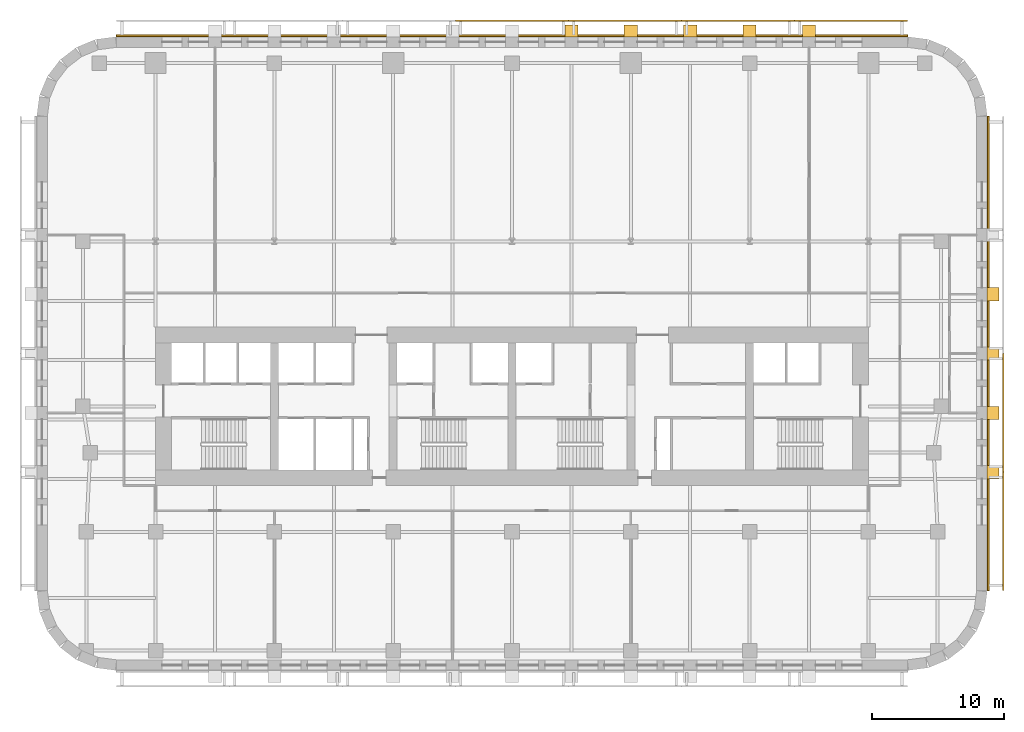
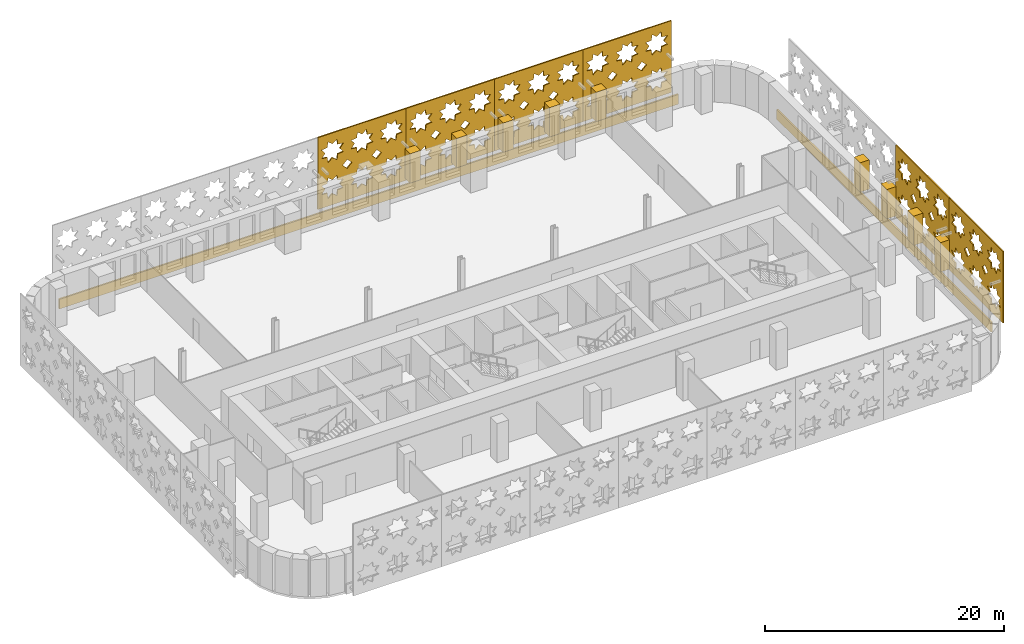
# One storey, part 12 of 13: 17 coverings.
"""IFC4 building model written with IfcOpenShell, lengths in metres."""

from ifc_helpers import new_model, si_unit, direction, frame, origin, place, context, subcontext, project, spatial, polyline, outline, extrude, material, layer, layer_set, type_object, element, save


model = new_model("IFC4")

# Units and contexts
model_context = context("Model", 3, precision=1e-05, world=origin(), true_north=direction((0.0, 1.0)))
body_context = subcontext(model_context, "Body", "Model", "MODEL_VIEW")
ifc_project = project(units=[si_unit("LENGTHUNIT", "METRE"), si_unit("AREAUNIT", "SQUARE_METRE"), si_unit("VOLUMEUNIT", "CUBIC_METRE"), si_unit("PLANEANGLEUNIT", "RADIAN"), si_unit("MASSUNIT", "GRAM", prefix="KILO")], contexts=[model_context])

# Site, building, storey
site_placement = place(None, origin())
site = spatial("IfcSite", under=ifc_project, at=site_placement, CompositionType="ELEMENT")
building_placement = place(site_placement, origin())
building = spatial("IfcBuilding", under=site, at=building_placement, Name="Zellij Exchange Tower", CompositionType="ELEMENT")
storey_placement = place(building_placement, frame((0.0, 0.0, 60.5)))
storey = spatial("IfcBuildingStorey", under=building, at=storey_placement, Name="L11", CompositionType="ELEMENT", Elevation=60.5)

# Coverings
ifc_material_1 = material(Name="Limestone cladding", Category="masonry")
ifc_layer_1 = layer(ifc_material_1, 0.14990234375)
ifc_layer_set_1 = layer_set([ifc_layer_1], Name="Limestone cladding")
covering_type_1 = type_object("IfcCoveringType", Name="ENV-CV1 Stone spandrel band 150", PredefinedType="CLADDING", material=ifc_layer_set_1)
covering_1_placement = place(storey_placement, frame((0.0, 0.0, -0.199951171875)))
element("IfcCovering", 1, at=covering_1_placement, inside=storey, type_object=covering_type_1, Name="Stone spandrel band", PredefinedType="CLADDING", context=body_context, shape_type="SweptSolid", body=[
    extrude(outline(polyline([(36.0, -21.973876953125), (36.0, 13.973876953125), (36.14990234375, 13.983642578125), (36.14990234375, -21.983642578125), (36.0, -21.973876953125)])), origin(), (0.0, 0.0, 1.0), 1.0),
])
covering_2_placement = place(storey_placement, frame((0.0, 0.0, -0.199951171875)))
element("IfcCovering", 2, at=covering_2_placement, inside=storey, type_object=covering_type_1, Name="Stone spandrel band", PredefinedType="CLADDING", context=body_context, shape_type="SweptSolid", body=[
    extrude(outline(polyline([(29.973876953125, 20.0), (-29.973876953125, 20.0), (-29.983642578125, 20.14990234375), (29.983642578125, 20.14990234375), (29.973876953125, 20.0)])), origin(), (0.0, 0.0, 1.0), 1.0),
])
covering_type_2 = type_object("IfcCoveringType", Name="ENV-CV2 Stone pier 1000x900", PredefinedType="CLADDING", material=ifc_material_1)
covering_3_placement = place(storey_placement, frame((0.0, 0.0, 0.800048828125)))
element("IfcCovering", 3, at=covering_3_placement, inside=storey, type_object=covering_type_2, Name="Stone pier", PredefinedType="CLADDING", context=body_context, shape_type="SweptSolid", body=[
    extrude(outline(polyline([(36.0, -13.48681640625), (36.0, -12.48681640625), (36.89990234375, -12.48681640625), (36.89990234375, -13.48681640625), (36.0, -13.48681640625)])), origin(), (0.0, 0.0, 1.0), 3.0),
])
covering_4_placement = place(storey_placement, frame((0.0, 0.0, 0.800048828125)))
element("IfcCovering", 4, at=covering_4_placement, inside=storey, type_object=covering_type_2, Name="Stone pier", PredefinedType="CLADDING", context=body_context, shape_type="SweptSolid", body=[
    extrude(outline(polyline([(36.0, -8.993408203125), (36.0, -7.993408203125), (36.89990234375, -7.993408203125), (36.89990234375, -8.993408203125), (36.0, -8.993408203125)])), origin(), (0.0, 0.0, 1.0), 3.0),
])
covering_5_placement = place(storey_placement, frame((0.0, 0.0, 0.800048828125)))
element("IfcCovering", 5, at=covering_5_placement, inside=storey, type_object=covering_type_2, Name="Stone pier", PredefinedType="CLADDING", context=body_context, shape_type="SweptSolid", body=[
    extrude(outline(polyline([(36.0, -4.5), (36.0, -3.5), (36.89990234375, -3.5), (36.89990234375, -4.5), (36.0, -4.5)])), origin(), (0.0, 0.0, 1.0), 3.0),
])
covering_6_placement = place(storey_placement, frame((0.0, 0.0, 0.800048828125)))
element("IfcCovering", 6, at=covering_6_placement, inside=storey, type_object=covering_type_2, Name="Stone pier", PredefinedType="CLADDING", context=body_context, shape_type="SweptSolid", body=[
    extrude(outline(polyline([(36.0, -0.006591796875), (36.0, 0.993408203125), (36.89990234375, 0.993408203125), (36.89990234375, -0.006591796875), (36.0, -0.006591796875)])), origin(), (0.0, 0.0, 1.0), 3.0),
])
covering_7_placement = place(storey_placement, frame((0.0, 0.0, 0.800048828125)))
element("IfcCovering", 7, at=covering_7_placement, inside=storey, type_object=covering_type_2, Name="Stone pier", PredefinedType="CLADDING", context=body_context, shape_type="SweptSolid", body=[
    extrude(outline(polyline([(23.0, 20.0), (22.0, 20.0), (22.0, 20.89990234375), (23.0, 20.89990234375), (23.0, 20.0)])), origin(), (0.0, 0.0, 1.0), 3.0),
])
covering_8_placement = place(storey_placement, frame((0.0, 0.0, 0.800048828125)))
element("IfcCovering", 8, at=covering_8_placement, inside=storey, type_object=covering_type_2, Name="Stone pier", PredefinedType="CLADDING", context=body_context, shape_type="SweptSolid", body=[
    extrude(outline(polyline([(18.5, 20.0), (17.5, 20.0), (17.5, 20.89990234375), (18.5, 20.89990234375), (18.5, 20.0)])), origin(), (0.0, 0.0, 1.0), 3.0),
])
covering_9_placement = place(storey_placement, frame((0.0, 0.0, 0.800048828125)))
element("IfcCovering", 9, at=covering_9_placement, inside=storey, type_object=covering_type_2, Name="Stone pier", PredefinedType="CLADDING", context=body_context, shape_type="SweptSolid", body=[
    extrude(outline(polyline([(14.0, 20.0), (13.0, 20.0), (13.0, 20.89990234375), (14.0, 20.89990234375), (14.0, 20.0)])), origin(), (0.0, 0.0, 1.0), 3.0),
])
covering_10_placement = place(storey_placement, frame((0.0, 0.0, 0.800048828125)))
element("IfcCovering", 10, at=covering_10_placement, inside=storey, type_object=covering_type_2, Name="Stone pier", PredefinedType="CLADDING", context=body_context, shape_type="SweptSolid", body=[
    extrude(outline(polyline([(9.5, 20.0), (8.5, 20.0), (8.5, 20.89990234375), (9.5, 20.89990234375), (9.5, 20.0)])), origin(), (0.0, 0.0, 1.0), 3.0),
])
covering_11_placement = place(storey_placement, frame((0.0, 0.0, 0.800048828125)))
element("IfcCovering", 11, at=covering_11_placement, inside=storey, type_object=covering_type_2, Name="Stone pier", PredefinedType="CLADDING", context=body_context, shape_type="SweptSolid", body=[
    extrude(outline(polyline([(5.0, 20.0), (4.0, 20.0), (4.0, 20.89990234375), (5.0, 20.89990234375), (5.0, 20.0)])), origin(), (0.0, 0.0, 1.0), 3.0),
])
ifc_material_2 = material(Name="Limestone screen", Category="masonry")
ifc_layer_2 = layer(ifc_material_2, 0.1201171875)
ifc_layer_set_2 = layer_set([ifc_layer_2], Name="Limestone screen")
covering_type_3 = type_object("IfcCoveringType", Name="ENV-SC1 Pierced stone screen 120", PredefinedType="USERDEFINED", material=ifc_layer_set_2)
covering_12_placement = place(storey_placement, frame((29.947509765625, 21.2099609375, 0.300048828125), z_axis=(0.0, 0.0, 1.0), x_axis=(-1.0, 0.0, 0.0)))
element("IfcCovering", 12, at=covering_12_placement, inside=storey, type_object=covering_type_3, Name="Pierced stone screen", ObjectType="SCREEN", PredefinedType="USERDEFINED", context=body_context, shape_type="SweptSolid", body=[
    extrude(outline(polyline([(0.0, 0.0), (8.556396484375, 0.0), (8.556396484375, 7.35009765625), (0.0, 7.35009765625), (0.0, 0.0)]), holes=[polyline([(2.47998046875, 2.274169921875), (1.92626953125, 2.337646484375), (1.86279296875, 2.8916015625), (1.426025390625, 2.544921875), (0.989501953125, 2.8916015625), (0.92578125, 2.337646484375), (0.3720703125, 2.274169921875), (0.71875, 1.83740234375), (0.3720703125, 1.40087890625), (0.92578125, 1.33740234375), (0.989501953125, 0.783447265625), (1.426025390625, 1.130126953125), (1.86279296875, 0.783447265625), (1.92626953125, 1.33740234375), (2.47998046875, 1.40087890625), (2.13330078125, 1.83740234375), (2.47998046875, 2.274169921875)]), polyline([(2.47998046875, 5.94921875), (1.92626953125, 6.0126953125), (1.86279296875, 6.56640625), (1.426025390625, 6.2197265625), (0.989501953125, 6.56640625), (0.92578125, 6.0126953125), (0.3720703125, 5.94921875), (0.71875, 5.512451171875), (0.3720703125, 5.075927734375), (0.92578125, 5.01220703125), (0.989501953125, 4.45849609375), (1.426025390625, 4.80517578125), (1.86279296875, 4.45849609375), (1.92626953125, 5.01220703125), (2.47998046875, 5.075927734375), (2.13330078125, 5.512451171875), (2.47998046875, 5.94921875)]), polyline([(5.332275390625, 2.274169921875), (4.7783203125, 2.337646484375), (4.71484375, 2.8916015625), (4.2783203125, 2.544921875), (3.841552734375, 2.8916015625), (3.778076171875, 2.337646484375), (3.22412109375, 2.274169921875), (3.57080078125, 1.83740234375), (3.22412109375, 1.40087890625), (3.778076171875, 1.33740234375), (3.841552734375, 0.783447265625), (4.2783203125, 1.130126953125), (4.71484375, 0.783447265625), (4.7783203125, 1.33740234375), (5.332275390625, 1.40087890625), (4.985595703125, 1.83740234375), (5.332275390625, 2.274169921875)]), polyline([(5.332275390625, 5.94921875), (4.7783203125, 6.0126953125), (4.71484375, 6.56640625), (4.2783203125, 6.2197265625), (3.841552734375, 6.56640625), (3.778076171875, 6.0126953125), (3.22412109375, 5.94921875), (3.57080078125, 5.512451171875), (3.22412109375, 5.075927734375), (3.778076171875, 5.01220703125), (3.841552734375, 4.45849609375), (4.2783203125, 4.80517578125), (4.71484375, 4.45849609375), (4.7783203125, 5.01220703125), (5.332275390625, 5.075927734375), (4.985595703125, 5.512451171875), (5.332275390625, 5.94921875)]), polyline([(8.184326171875, 2.274169921875), (7.630615234375, 2.337646484375), (7.56689453125, 2.8916015625), (7.13037109375, 2.544921875), (6.69384765625, 2.8916015625), (6.630126953125, 2.337646484375), (6.076416015625, 2.274169921875), (6.423095703125, 1.83740234375), (6.076416015625, 1.40087890625), (6.630126953125, 1.33740234375), (6.69384765625, 0.783447265625), (7.13037109375, 1.130126953125), (7.56689453125, 0.783447265625), (7.630615234375, 1.33740234375), (8.184326171875, 1.40087890625), (7.837646484375, 1.83740234375), (8.184326171875, 2.274169921875)]), polyline([(8.184326171875, 5.94921875), (7.630615234375, 6.0126953125), (7.56689453125, 6.56640625), (7.13037109375, 6.2197265625), (6.69384765625, 6.56640625), (6.630126953125, 6.0126953125), (6.076416015625, 5.94921875), (6.423095703125, 5.512451171875), (6.076416015625, 5.075927734375), (6.630126953125, 5.01220703125), (6.69384765625, 4.45849609375), (7.13037109375, 4.80517578125), (7.56689453125, 4.45849609375), (7.630615234375, 5.01220703125), (8.184326171875, 5.075927734375), (7.837646484375, 5.512451171875), (8.184326171875, 5.94921875)]), polyline([(3.30859375, 3.675048828125), (2.852294921875, 4.13134765625), (2.395751953125, 3.675048828125), (2.852294921875, 3.21875), (3.30859375, 3.675048828125)]), polyline([(6.16064453125, 3.675048828125), (5.704345703125, 4.13134765625), (5.248046875, 3.675048828125), (5.704345703125, 3.21875), (6.16064453125, 3.675048828125)])]), frame((0.0, 0.06005859375, 0.0), z_axis=(0.0, -1.0, 0.0), x_axis=(1.0, 0.0, 0.0)), (0.0, 0.0, 1.0), 0.1201171875),
])
covering_13_placement = place(storey_placement, frame((21.39111328125, 21.2099609375, 0.300048828125), z_axis=(0.0, 0.0, 1.0), x_axis=(-1.0, 0.0, 0.0)))
element("IfcCovering", 13, at=covering_13_placement, inside=storey, type_object=covering_type_3, Name="Pierced stone screen", ObjectType="SCREEN", PredefinedType="USERDEFINED", context=body_context, shape_type="SweptSolid", body=[
    extrude(outline(polyline([(0.0, 0.0), (8.556396484375, 0.0), (8.556396484375, 7.35009765625), (0.0, 7.35009765625), (0.0, 0.0)]), holes=[polyline([(2.47998046875, 2.274169921875), (1.92626953125, 2.337646484375), (1.86279296875, 2.8916015625), (1.426025390625, 2.544921875), (0.989501953125, 2.8916015625), (0.92578125, 2.337646484375), (0.3720703125, 2.274169921875), (0.71875, 1.83740234375), (0.3720703125, 1.40087890625), (0.92578125, 1.33740234375), (0.989501953125, 0.783447265625), (1.426025390625, 1.130126953125), (1.86279296875, 0.783447265625), (1.92626953125, 1.33740234375), (2.47998046875, 1.40087890625), (2.13330078125, 1.83740234375), (2.47998046875, 2.274169921875)]), polyline([(2.47998046875, 5.94921875), (1.92626953125, 6.0126953125), (1.86279296875, 6.56640625), (1.426025390625, 6.2197265625), (0.989501953125, 6.56640625), (0.92578125, 6.0126953125), (0.3720703125, 5.94921875), (0.71875, 5.512451171875), (0.3720703125, 5.075927734375), (0.92578125, 5.01220703125), (0.989501953125, 4.45849609375), (1.426025390625, 4.80517578125), (1.86279296875, 4.45849609375), (1.92626953125, 5.01220703125), (2.47998046875, 5.075927734375), (2.13330078125, 5.512451171875), (2.47998046875, 5.94921875)]), polyline([(5.332275390625, 2.274169921875), (4.7783203125, 2.337646484375), (4.71484375, 2.8916015625), (4.2783203125, 2.544921875), (3.841552734375, 2.8916015625), (3.778076171875, 2.337646484375), (3.22412109375, 2.274169921875), (3.57080078125, 1.83740234375), (3.22412109375, 1.40087890625), (3.778076171875, 1.33740234375), (3.841552734375, 0.783447265625), (4.2783203125, 1.130126953125), (4.71484375, 0.783447265625), (4.7783203125, 1.33740234375), (5.332275390625, 1.40087890625), (4.985595703125, 1.83740234375), (5.332275390625, 2.274169921875)]), polyline([(5.332275390625, 5.94921875), (4.7783203125, 6.0126953125), (4.71484375, 6.56640625), (4.2783203125, 6.2197265625), (3.841552734375, 6.56640625), (3.778076171875, 6.0126953125), (3.22412109375, 5.94921875), (3.57080078125, 5.512451171875), (3.22412109375, 5.075927734375), (3.778076171875, 5.01220703125), (3.841552734375, 4.45849609375), (4.2783203125, 4.80517578125), (4.71484375, 4.45849609375), (4.7783203125, 5.01220703125), (5.332275390625, 5.075927734375), (4.985595703125, 5.512451171875), (5.332275390625, 5.94921875)]), polyline([(8.184326171875, 2.274169921875), (7.630615234375, 2.337646484375), (7.56689453125, 2.8916015625), (7.13037109375, 2.544921875), (6.69384765625, 2.8916015625), (6.630126953125, 2.337646484375), (6.076416015625, 2.274169921875), (6.423095703125, 1.83740234375), (6.076416015625, 1.40087890625), (6.630126953125, 1.33740234375), (6.69384765625, 0.783447265625), (7.13037109375, 1.130126953125), (7.56689453125, 0.783447265625), (7.630615234375, 1.33740234375), (8.184326171875, 1.40087890625), (7.837646484375, 1.83740234375), (8.184326171875, 2.274169921875)]), polyline([(8.184326171875, 5.94921875), (7.630615234375, 6.0126953125), (7.56689453125, 6.56640625), (7.13037109375, 6.2197265625), (6.69384765625, 6.56640625), (6.630126953125, 6.0126953125), (6.076416015625, 5.94921875), (6.423095703125, 5.512451171875), (6.076416015625, 5.075927734375), (6.630126953125, 5.01220703125), (6.69384765625, 4.45849609375), (7.13037109375, 4.80517578125), (7.56689453125, 4.45849609375), (7.630615234375, 5.01220703125), (8.184326171875, 5.075927734375), (7.837646484375, 5.512451171875), (8.184326171875, 5.94921875)]), polyline([(3.30859375, 3.675048828125), (2.852294921875, 4.13134765625), (2.395751953125, 3.675048828125), (2.852294921875, 3.21875), (3.30859375, 3.675048828125)]), polyline([(6.16064453125, 3.675048828125), (5.704345703125, 4.13134765625), (5.248046875, 3.675048828125), (5.704345703125, 3.21875), (6.16064453125, 3.675048828125)])]), frame((0.0, 0.06005859375, 0.0), z_axis=(0.0, -1.0, 0.0), x_axis=(1.0, 0.0, 0.0)), (0.0, 0.0, 1.0), 0.1201171875),
])
covering_14_placement = place(storey_placement, frame((12.834716796875, 21.2099609375, 0.300048828125), z_axis=(0.0, 0.0, 1.0), x_axis=(-1.0, 0.0, 0.0)))
element("IfcCovering", 14, at=covering_14_placement, inside=storey, type_object=covering_type_3, Name="Pierced stone screen", ObjectType="SCREEN", PredefinedType="USERDEFINED", context=body_context, shape_type="SweptSolid", body=[
    extrude(outline(polyline([(0.0, 0.0), (8.556396484375, 0.0), (8.556396484375, 7.35009765625), (0.0, 7.35009765625), (0.0, 0.0)]), holes=[polyline([(2.47998046875, 2.274169921875), (1.92626953125, 2.337646484375), (1.86279296875, 2.8916015625), (1.426025390625, 2.544921875), (0.989501953125, 2.8916015625), (0.92578125, 2.337646484375), (0.3720703125, 2.274169921875), (0.71875, 1.83740234375), (0.3720703125, 1.40087890625), (0.92578125, 1.33740234375), (0.989501953125, 0.783447265625), (1.426025390625, 1.130126953125), (1.86279296875, 0.783447265625), (1.92626953125, 1.33740234375), (2.47998046875, 1.40087890625), (2.13330078125, 1.83740234375), (2.47998046875, 2.274169921875)]), polyline([(2.47998046875, 5.94921875), (1.92626953125, 6.0126953125), (1.86279296875, 6.56640625), (1.426025390625, 6.2197265625), (0.989501953125, 6.56640625), (0.92578125, 6.0126953125), (0.3720703125, 5.94921875), (0.71875, 5.512451171875), (0.3720703125, 5.075927734375), (0.92578125, 5.01220703125), (0.989501953125, 4.45849609375), (1.426025390625, 4.80517578125), (1.86279296875, 4.45849609375), (1.92626953125, 5.01220703125), (2.47998046875, 5.075927734375), (2.13330078125, 5.512451171875), (2.47998046875, 5.94921875)]), polyline([(5.332275390625, 2.274169921875), (4.7783203125, 2.337646484375), (4.71484375, 2.8916015625), (4.2783203125, 2.544921875), (3.841552734375, 2.8916015625), (3.778076171875, 2.337646484375), (3.22412109375, 2.274169921875), (3.57080078125, 1.83740234375), (3.22412109375, 1.40087890625), (3.778076171875, 1.33740234375), (3.841552734375, 0.783447265625), (4.2783203125, 1.130126953125), (4.71484375, 0.783447265625), (4.7783203125, 1.33740234375), (5.332275390625, 1.40087890625), (4.985595703125, 1.83740234375), (5.332275390625, 2.274169921875)]), polyline([(5.332275390625, 5.94921875), (4.7783203125, 6.0126953125), (4.71484375, 6.56640625), (4.2783203125, 6.2197265625), (3.841552734375, 6.56640625), (3.778076171875, 6.0126953125), (3.22412109375, 5.94921875), (3.57080078125, 5.512451171875), (3.22412109375, 5.075927734375), (3.778076171875, 5.01220703125), (3.841552734375, 4.45849609375), (4.2783203125, 4.80517578125), (4.71484375, 4.45849609375), (4.7783203125, 5.01220703125), (5.332275390625, 5.075927734375), (4.985595703125, 5.512451171875), (5.332275390625, 5.94921875)]), polyline([(8.184326171875, 2.274169921875), (7.630615234375, 2.337646484375), (7.56689453125, 2.8916015625), (7.13037109375, 2.544921875), (6.69384765625, 2.8916015625), (6.630126953125, 2.337646484375), (6.076416015625, 2.274169921875), (6.423095703125, 1.83740234375), (6.076416015625, 1.40087890625), (6.630126953125, 1.33740234375), (6.69384765625, 0.783447265625), (7.13037109375, 1.130126953125), (7.56689453125, 0.783447265625), (7.630615234375, 1.33740234375), (8.184326171875, 1.40087890625), (7.837646484375, 1.83740234375), (8.184326171875, 2.274169921875)]), polyline([(8.184326171875, 5.94921875), (7.630615234375, 6.0126953125), (7.56689453125, 6.56640625), (7.13037109375, 6.2197265625), (6.69384765625, 6.56640625), (6.630126953125, 6.0126953125), (6.076416015625, 5.94921875), (6.423095703125, 5.512451171875), (6.076416015625, 5.075927734375), (6.630126953125, 5.01220703125), (6.69384765625, 4.45849609375), (7.13037109375, 4.80517578125), (7.56689453125, 4.45849609375), (7.630615234375, 5.01220703125), (8.184326171875, 5.075927734375), (7.837646484375, 5.512451171875), (8.184326171875, 5.94921875)]), polyline([(3.30859375, 3.675048828125), (2.852294921875, 4.13134765625), (2.395751953125, 3.675048828125), (2.852294921875, 3.21875), (3.30859375, 3.675048828125)]), polyline([(6.16064453125, 3.675048828125), (5.704345703125, 4.13134765625), (5.248046875, 3.675048828125), (5.704345703125, 3.21875), (6.16064453125, 3.675048828125)])]), frame((0.0, 0.06005859375, 0.0), z_axis=(0.0, -1.0, 0.0), x_axis=(1.0, 0.0, 0.0)), (0.0, 0.0, 1.0), 0.1201171875),
])
covering_15_placement = place(storey_placement, frame((4.2783203125, 21.2099609375, 0.300048828125), z_axis=(0.0, 0.0, 1.0), x_axis=(-1.0, 0.0, 0.0)))
element("IfcCovering", 15, at=covering_15_placement, inside=storey, type_object=covering_type_3, Name="Pierced stone screen", ObjectType="SCREEN", PredefinedType="USERDEFINED", context=body_context, shape_type="SweptSolid", body=[
    extrude(outline(polyline([(0.0, 0.0), (8.556396484375, 0.0), (8.556396484375, 7.35009765625), (0.0, 7.35009765625), (0.0, 0.0)]), holes=[polyline([(2.47998046875, 2.274169921875), (1.92626953125, 2.337646484375), (1.86279296875, 2.8916015625), (1.426025390625, 2.544921875), (0.989501953125, 2.8916015625), (0.92578125, 2.337646484375), (0.3720703125, 2.274169921875), (0.71875, 1.83740234375), (0.3720703125, 1.40087890625), (0.92578125, 1.33740234375), (0.989501953125, 0.783447265625), (1.426025390625, 1.130126953125), (1.86279296875, 0.783447265625), (1.92626953125, 1.33740234375), (2.47998046875, 1.40087890625), (2.13330078125, 1.83740234375), (2.47998046875, 2.274169921875)]), polyline([(2.47998046875, 5.94921875), (1.92626953125, 6.0126953125), (1.86279296875, 6.56640625), (1.426025390625, 6.2197265625), (0.989501953125, 6.56640625), (0.92578125, 6.0126953125), (0.3720703125, 5.94921875), (0.71875, 5.512451171875), (0.3720703125, 5.075927734375), (0.92578125, 5.01220703125), (0.989501953125, 4.45849609375), (1.426025390625, 4.80517578125), (1.86279296875, 4.45849609375), (1.92626953125, 5.01220703125), (2.47998046875, 5.075927734375), (2.13330078125, 5.512451171875), (2.47998046875, 5.94921875)]), polyline([(5.332275390625, 2.274169921875), (4.7783203125, 2.337646484375), (4.71484375, 2.8916015625), (4.2783203125, 2.544921875), (3.841552734375, 2.8916015625), (3.778076171875, 2.337646484375), (3.22412109375, 2.274169921875), (3.57080078125, 1.83740234375), (3.22412109375, 1.40087890625), (3.778076171875, 1.33740234375), (3.841552734375, 0.783447265625), (4.2783203125, 1.130126953125), (4.71484375, 0.783447265625), (4.7783203125, 1.33740234375), (5.332275390625, 1.40087890625), (4.985595703125, 1.83740234375), (5.332275390625, 2.274169921875)]), polyline([(5.332275390625, 5.94921875), (4.7783203125, 6.0126953125), (4.71484375, 6.56640625), (4.2783203125, 6.2197265625), (3.841552734375, 6.56640625), (3.778076171875, 6.0126953125), (3.22412109375, 5.94921875), (3.57080078125, 5.512451171875), (3.22412109375, 5.075927734375), (3.778076171875, 5.01220703125), (3.841552734375, 4.45849609375), (4.2783203125, 4.80517578125), (4.71484375, 4.45849609375), (4.7783203125, 5.01220703125), (5.332275390625, 5.075927734375), (4.985595703125, 5.512451171875), (5.332275390625, 5.94921875)]), polyline([(8.184326171875, 2.274169921875), (7.630615234375, 2.337646484375), (7.56689453125, 2.8916015625), (7.13037109375, 2.544921875), (6.69384765625, 2.8916015625), (6.630126953125, 2.337646484375), (6.076416015625, 2.274169921875), (6.423095703125, 1.83740234375), (6.076416015625, 1.40087890625), (6.630126953125, 1.33740234375), (6.69384765625, 0.783447265625), (7.13037109375, 1.130126953125), (7.56689453125, 0.783447265625), (7.630615234375, 1.33740234375), (8.184326171875, 1.40087890625), (7.837646484375, 1.83740234375), (8.184326171875, 2.274169921875)]), polyline([(8.184326171875, 5.94921875), (7.630615234375, 6.0126953125), (7.56689453125, 6.56640625), (7.13037109375, 6.2197265625), (6.69384765625, 6.56640625), (6.630126953125, 6.0126953125), (6.076416015625, 5.94921875), (6.423095703125, 5.512451171875), (6.076416015625, 5.075927734375), (6.630126953125, 5.01220703125), (6.69384765625, 4.45849609375), (7.13037109375, 4.80517578125), (7.56689453125, 4.45849609375), (7.630615234375, 5.01220703125), (8.184326171875, 5.075927734375), (7.837646484375, 5.512451171875), (8.184326171875, 5.94921875)]), polyline([(3.30859375, 3.675048828125), (2.852294921875, 4.13134765625), (2.395751953125, 3.675048828125), (2.852294921875, 3.21875), (3.30859375, 3.675048828125)]), polyline([(6.16064453125, 3.675048828125), (5.704345703125, 4.13134765625), (5.248046875, 3.675048828125), (5.704345703125, 3.21875), (6.16064453125, 3.675048828125)])]), frame((0.0, 0.06005859375, 0.0), z_axis=(0.0, -1.0, 0.0), x_axis=(1.0, 0.0, 0.0)), (0.0, 0.0, 1.0), 0.1201171875),
])
covering_16_placement = place(storey_placement, frame((37.2099609375, -21.947509765625, 0.300048828125), z_axis=(0.0, 0.0, 1.0), x_axis=(0.0, 1.0, 0.0)))
element("IfcCovering", 16, at=covering_16_placement, inside=storey, type_object=covering_type_3, Name="Pierced stone screen", ObjectType="SCREEN", PredefinedType="USERDEFINED", context=body_context, shape_type="SweptSolid", body=[
    extrude(outline(polyline([(0.0, 0.0), (8.973876953125, 0.0), (8.973876953125, 7.35009765625), (0.0, 7.35009765625), (0.0, 0.0)]), holes=[polyline([(2.60107421875, 2.29541015625), (2.020263671875, 2.362060546875), (1.95361328125, 2.94287109375), (1.49560546875, 2.579345703125), (1.03759765625, 2.94287109375), (0.97119140625, 2.362060546875), (0.39013671875, 2.29541015625), (0.75390625, 1.83740234375), (0.39013671875, 1.379638671875), (0.97119140625, 1.31298828125), (1.03759765625, 0.732177734375), (1.49560546875, 1.095703125), (1.95361328125, 0.732177734375), (2.020263671875, 1.31298828125), (2.60107421875, 1.379638671875), (2.237548828125, 1.83740234375), (2.60107421875, 2.29541015625)]), polyline([(2.60107421875, 5.970458984375), (2.020263671875, 6.037109375), (1.95361328125, 6.617919921875), (1.49560546875, 6.25439453125), (1.03759765625, 6.617919921875), (0.97119140625, 6.037109375), (0.39013671875, 5.970458984375), (0.75390625, 5.512451171875), (0.39013671875, 5.0546875), (0.97119140625, 4.98779296875), (1.03759765625, 4.406982421875), (1.49560546875, 4.770751953125), (1.95361328125, 4.406982421875), (2.020263671875, 4.98779296875), (2.60107421875, 5.0546875), (2.237548828125, 5.512451171875), (2.60107421875, 5.970458984375)]), polyline([(5.59228515625, 2.29541015625), (5.011474609375, 2.362060546875), (4.94482421875, 2.94287109375), (4.48681640625, 2.579345703125), (4.029052734375, 2.94287109375), (3.96240234375, 2.362060546875), (3.381591796875, 2.29541015625), (3.7451171875, 1.83740234375), (3.381591796875, 1.379638671875), (3.96240234375, 1.31298828125), (4.029052734375, 0.732177734375), (4.48681640625, 1.095703125), (4.94482421875, 0.732177734375), (5.011474609375, 1.31298828125), (5.59228515625, 1.379638671875), (5.228759765625, 1.83740234375), (5.59228515625, 2.29541015625)]), polyline([(5.59228515625, 5.970458984375), (5.011474609375, 6.037109375), (4.94482421875, 6.617919921875), (4.48681640625, 6.25439453125), (4.029052734375, 6.617919921875), (3.96240234375, 6.037109375), (3.381591796875, 5.970458984375), (3.7451171875, 5.512451171875), (3.381591796875, 5.0546875), (3.96240234375, 4.98779296875), (4.029052734375, 4.406982421875), (4.48681640625, 4.770751953125), (4.94482421875, 4.406982421875), (5.011474609375, 4.98779296875), (5.59228515625, 5.0546875), (5.228759765625, 5.512451171875), (5.59228515625, 5.970458984375)]), polyline([(8.58349609375, 2.29541015625), (8.002685546875, 2.362060546875), (7.93603515625, 2.94287109375), (7.478271484375, 2.579345703125), (7.020263671875, 2.94287109375), (6.95361328125, 2.362060546875), (6.372802734375, 2.29541015625), (6.736328125, 1.83740234375), (6.372802734375, 1.379638671875), (6.95361328125, 1.31298828125), (7.020263671875, 0.732177734375), (7.478271484375, 1.095703125), (7.93603515625, 0.732177734375), (8.002685546875, 1.31298828125), (8.58349609375, 1.379638671875), (8.219970703125, 1.83740234375), (8.58349609375, 2.29541015625)]), polyline([(8.58349609375, 5.970458984375), (8.002685546875, 6.037109375), (7.93603515625, 6.617919921875), (7.478271484375, 6.25439453125), (7.020263671875, 6.617919921875), (6.95361328125, 6.037109375), (6.372802734375, 5.970458984375), (6.736328125, 5.512451171875), (6.372802734375, 5.0546875), (6.95361328125, 4.98779296875), (7.020263671875, 4.406982421875), (7.478271484375, 4.770751953125), (7.93603515625, 4.406982421875), (8.002685546875, 4.98779296875), (8.58349609375, 5.0546875), (8.219970703125, 5.512451171875), (8.58349609375, 5.970458984375)]), polyline([(3.469970703125, 3.675048828125), (2.9912109375, 4.153564453125), (2.5126953125, 3.675048828125), (2.9912109375, 3.1962890625), (3.469970703125, 3.675048828125)]), polyline([(6.461181640625, 3.675048828125), (5.982421875, 4.153564453125), (5.50390625, 3.675048828125), (5.982421875, 3.1962890625), (6.461181640625, 3.675048828125)])]), frame((0.0, 0.06005859375, 0.0), z_axis=(0.0, -1.0, 0.0), x_axis=(1.0, 0.0, 0.0)), (0.0, 0.0, 1.0), 0.1201171875),
])
covering_17_placement = place(storey_placement, frame((37.2099609375, -12.973876953125, 0.300048828125), z_axis=(0.0, 0.0, 1.0), x_axis=(0.0, 1.0, 0.0)))
element("IfcCovering", 17, at=covering_17_placement, inside=storey, type_object=covering_type_3, Name="Pierced stone screen", ObjectType="SCREEN", PredefinedType="USERDEFINED", context=body_context, shape_type="SweptSolid", body=[
    extrude(outline(polyline([(0.0, 0.0), (8.973876953125, 0.0), (8.973876953125, 7.35009765625), (0.0, 7.35009765625), (0.0, 0.0)]), holes=[polyline([(2.60107421875, 2.29541015625), (2.020263671875, 2.362060546875), (1.95361328125, 2.94287109375), (1.49560546875, 2.579345703125), (1.03759765625, 2.94287109375), (0.97119140625, 2.362060546875), (0.39013671875, 2.29541015625), (0.75390625, 1.83740234375), (0.39013671875, 1.379638671875), (0.97119140625, 1.31298828125), (1.03759765625, 0.732177734375), (1.49560546875, 1.095703125), (1.95361328125, 0.732177734375), (2.020263671875, 1.31298828125), (2.60107421875, 1.379638671875), (2.237548828125, 1.83740234375), (2.60107421875, 2.29541015625)]), polyline([(2.60107421875, 5.970458984375), (2.020263671875, 6.037109375), (1.95361328125, 6.617919921875), (1.49560546875, 6.25439453125), (1.03759765625, 6.617919921875), (0.97119140625, 6.037109375), (0.39013671875, 5.970458984375), (0.75390625, 5.512451171875), (0.39013671875, 5.0546875), (0.97119140625, 4.98779296875), (1.03759765625, 4.406982421875), (1.49560546875, 4.770751953125), (1.95361328125, 4.406982421875), (2.020263671875, 4.98779296875), (2.60107421875, 5.0546875), (2.237548828125, 5.512451171875), (2.60107421875, 5.970458984375)]), polyline([(5.59228515625, 2.29541015625), (5.011474609375, 2.362060546875), (4.94482421875, 2.94287109375), (4.48681640625, 2.579345703125), (4.029052734375, 2.94287109375), (3.96240234375, 2.362060546875), (3.381591796875, 2.29541015625), (3.7451171875, 1.83740234375), (3.381591796875, 1.379638671875), (3.96240234375, 1.31298828125), (4.029052734375, 0.732177734375), (4.48681640625, 1.095703125), (4.94482421875, 0.732177734375), (5.011474609375, 1.31298828125), (5.59228515625, 1.379638671875), (5.228759765625, 1.83740234375), (5.59228515625, 2.29541015625)]), polyline([(5.59228515625, 5.970458984375), (5.011474609375, 6.037109375), (4.94482421875, 6.617919921875), (4.48681640625, 6.25439453125), (4.029052734375, 6.617919921875), (3.96240234375, 6.037109375), (3.381591796875, 5.970458984375), (3.7451171875, 5.512451171875), (3.381591796875, 5.0546875), (3.96240234375, 4.98779296875), (4.029052734375, 4.406982421875), (4.48681640625, 4.770751953125), (4.94482421875, 4.406982421875), (5.011474609375, 4.98779296875), (5.59228515625, 5.0546875), (5.228759765625, 5.512451171875), (5.59228515625, 5.970458984375)]), polyline([(8.58349609375, 2.29541015625), (8.002685546875, 2.362060546875), (7.93603515625, 2.94287109375), (7.478271484375, 2.579345703125), (7.020263671875, 2.94287109375), (6.95361328125, 2.362060546875), (6.372802734375, 2.29541015625), (6.736328125, 1.83740234375), (6.372802734375, 1.379638671875), (6.95361328125, 1.31298828125), (7.020263671875, 0.732177734375), (7.478271484375, 1.095703125), (7.93603515625, 0.732177734375), (8.002685546875, 1.31298828125), (8.58349609375, 1.379638671875), (8.219970703125, 1.83740234375), (8.58349609375, 2.29541015625)]), polyline([(8.58349609375, 5.970458984375), (8.002685546875, 6.037109375), (7.93603515625, 6.617919921875), (7.478271484375, 6.25439453125), (7.020263671875, 6.617919921875), (6.95361328125, 6.037109375), (6.372802734375, 5.970458984375), (6.736328125, 5.512451171875), (6.372802734375, 5.0546875), (6.95361328125, 4.98779296875), (7.020263671875, 4.406982421875), (7.478271484375, 4.770751953125), (7.93603515625, 4.406982421875), (8.002685546875, 4.98779296875), (8.58349609375, 5.0546875), (8.219970703125, 5.512451171875), (8.58349609375, 5.970458984375)]), polyline([(3.469970703125, 3.675048828125), (2.9912109375, 4.153564453125), (2.5126953125, 3.675048828125), (2.9912109375, 3.1962890625), (3.469970703125, 3.675048828125)]), polyline([(6.461181640625, 3.675048828125), (5.982421875, 4.153564453125), (5.50390625, 3.675048828125), (5.982421875, 3.1962890625), (6.461181640625, 3.675048828125)])]), frame((0.0, 0.06005859375, 0.0), z_axis=(0.0, -1.0, 0.0), x_axis=(1.0, 0.0, 0.0)), (0.0, 0.0, 1.0), 0.1201171875),
])

save(model, "model.ifc")
